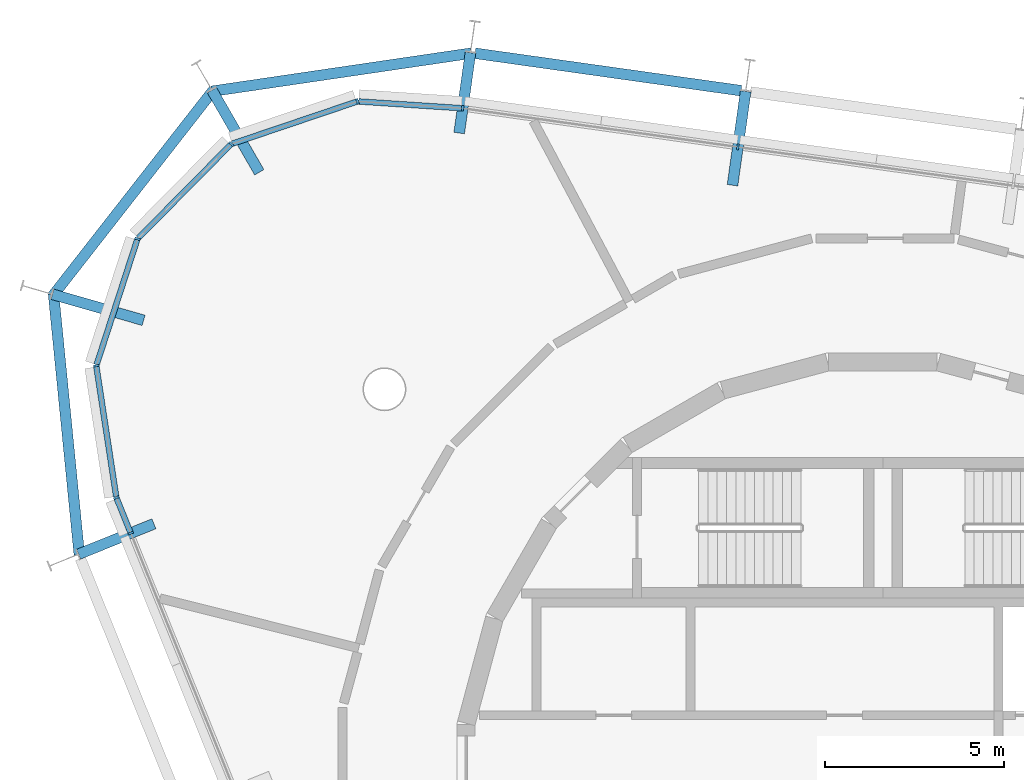
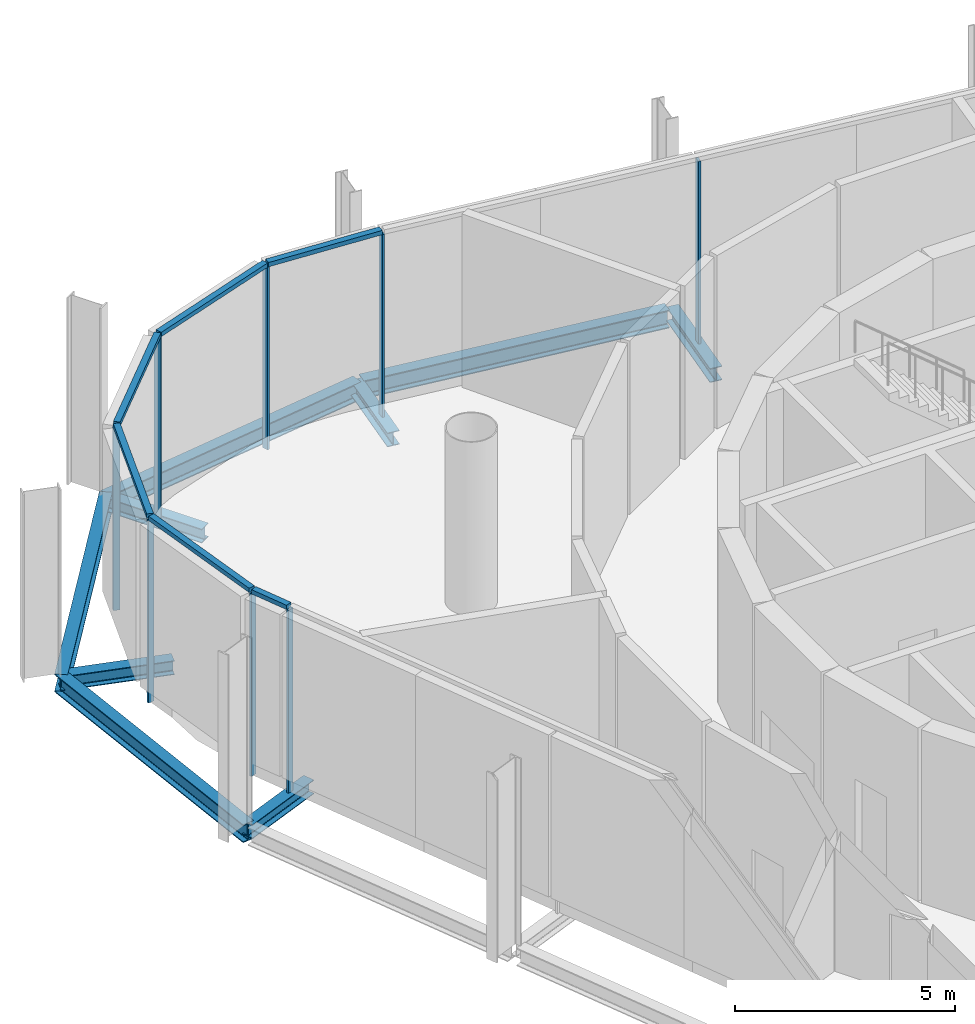
# One storey, part 5 of 12: 14 members, 9 beams, 3 elements without a shape of their own.
"""IFC4 building model written with IfcOpenShell, lengths in metres."""

from ifc_helpers import new_model, si_unit, direction, frame, origin, origin_2d, place, context, subcontext, project, spatial, rectangle, i_section, extrude, material, layer, layer_set, material_profile, profile_set, type_object, element, aggregate, save


model = new_model("IFC4")

# Units and contexts
model_context = context("Model", 3, precision=1e-05, world=origin(), true_north=direction((0.0, 1.0)))
body_context = subcontext(model_context, "Body", "Model", "MODEL_VIEW")
ifc_project = project(units=[si_unit("LENGTHUNIT", "METRE"), si_unit("AREAUNIT", "SQUARE_METRE"), si_unit("VOLUMEUNIT", "CUBIC_METRE"), si_unit("PLANEANGLEUNIT", "RADIAN"), si_unit("MASSUNIT", "GRAM", prefix="KILO")], contexts=[model_context])

# Site, building, storey
site_placement = place(None, origin())
site = spatial("IfcSite", under=ifc_project, at=site_placement, CompositionType="ELEMENT")
building_placement = place(site_placement, origin())
building = spatial("IfcBuilding", under=site, at=building_placement, Name="Spindle Arch Residences", CompositionType="ELEMENT")
storey_placement = place(building_placement, frame((0.0, 0.0, 361.0)))
storey = spatial("IfcBuildingStorey", under=building, at=storey_placement, Name="L93", CompositionType="ELEMENT", Elevation=361.0)

# Curtain wall, member
ifc_material_1 = material(Name="Aluminium bronze unitised frame with tinted glass", Category="aluminium")
ifc_layer = layer(ifc_material_1, 0.159912109375)
ifc_layer_set = layer_set([ifc_layer], Name="CW-F crown plant glazed wall")
curtain_wall_type = type_object("IfcCurtainWallType", Name="CW-F crown plant glazed wall", PredefinedType="NOTDEFINED", material=ifc_layer_set)
curtain_wall_1_placement = place(storey_placement, origin())
curtain_wall_1 = element("IfcCurtainWall", 1, at=curtain_wall_1_placement, inside=storey, type_object=curtain_wall_type, Name="CW-F L93 run 2", PredefinedType="NOTDEFINED")
ifc_material_2 = material(Name="Aluminium bronze anodised mullion", Category="aluminium")
ifc_material_profile_1 = material_profile(ifc_material_2, rectangle(XDim=0.159912109375, YDim=0.06005859375, at=origin_2d()), Name="MU 60x160")
ifc_profile_set_1 = profile_set([ifc_material_profile_1], Name="Aluminium bronze anodised mullion")
member_type_1 = type_object("IfcMemberType", Name="Bronze mullion 60x160", PredefinedType="MULLION", material=ifc_profile_set_1)
member_1_placement = place(storey_placement, frame((-4.0537109375, 17.654296875, -0.3798828125), z_axis=(0.0, 0.0, 1.0), x_axis=(-0.13917310096, -0.990268068742, 0.0)))
member_1 = element("IfcMember", 2, at=member_1_placement, type_object=member_type_1, Name="CW-F mullion 07", PredefinedType="MULLION", context=body_context, shape_type="SweptSolid", body=[
    extrude(rectangle(XDim=0.159912109375, YDim=0.06005859375, at=origin_2d()), origin(), (0.0, 0.0, 1.0), 5.079833984375),
])
aggregate(curtain_wall_1, [member_1])

# Curtain wall, members
curtain_wall_2_placement = place(storey_placement, origin())
curtain_wall_2 = element("IfcCurtainWall", 3, at=curtain_wall_2_placement, inside=storey, type_object=curtain_wall_type, Name="CW-F L93 run 3", PredefinedType="NOTDEFINED")
member_2_placement = place(storey_placement, frame((-11.74365234375, 18.735107421875, -0.3798828125), z_axis=(0.0, 0.0, 1.0), x_axis=(-0.065509719587, -0.99785193122, 0.0)))
member_2 = element("IfcMember", 4, at=member_2_placement, type_object=member_type_1, Name="CW-F mullion 00", PredefinedType="MULLION", context=body_context, shape_type="SweptSolid", body=[
    extrude(rectangle(XDim=0.159912109375, YDim=0.06005859375, at=origin_2d()), origin(), (0.0, 0.0, 1.0), 5.079833984375),
])
member_3_placement = place(storey_placement, frame((-14.6806640625, 18.927978515625, -0.3798828125), z_axis=(0.0, 0.0, 1.0), x_axis=(0.320061877599, -0.947396640541, 0.0)))
member_3 = element("IfcMember", 5, at=member_3_placement, type_object=member_type_1, Name="CW-F mullion 01", PredefinedType="MULLION", context=body_context, shape_type="SweptSolid", body=[
    extrude(rectangle(XDim=0.159912109375, YDim=0.06005859375, at=origin_2d()), origin(), (0.0, 0.0, 1.0), 5.079833984375),
])
member_4_placement = place(storey_placement, frame((-18.211181640625, 17.735107421875, -0.3798828125), z_axis=(0.0, 0.0, 1.0), x_axis=(0.711208574043, -0.702981055369, 0.0)))
member_4 = element("IfcMember", 6, at=member_4_placement, type_object=member_type_1, Name="CW-F mullion 02", PredefinedType="MULLION", context=body_context, shape_type="SweptSolid", body=[
    extrude(rectangle(XDim=0.159912109375, YDim=0.06005859375, at=origin_2d()), origin(), (0.0, 0.0, 1.0), 5.079833984375),
])
member_5_placement = place(storey_placement, frame((-20.8310546875, 15.084716796875, -0.3798828125), z_axis=(0.0, 0.0, 1.0), x_axis=(0.951056517498, -0.309016990673, 0.0)))
member_5 = element("IfcMember", 7, at=member_5_placement, type_object=member_type_1, Name="CW-F mullion 03", PredefinedType="MULLION", context=body_context, shape_type="SweptSolid", body=[
    extrude(rectangle(XDim=0.159912109375, YDim=0.06005859375, at=origin_2d()), origin(), (0.0, 0.0, 1.0), 5.079833984375),
])
member_6_placement = place(storey_placement, frame((-21.982666015625, 11.540283203125, -0.3798828125), z_axis=(0.0, 0.0, 1.0), x_axis=(0.988581718471, 0.150685718984, 0.0)))
member_6 = element("IfcMember", 8, at=member_6_placement, type_object=member_type_1, Name="CW-F mullion 04", PredefinedType="MULLION", context=body_context, shape_type="SweptSolid", body=[
    extrude(rectangle(XDim=0.159912109375, YDim=0.06005859375, at=origin_2d()), origin(), (0.0, 0.0, 1.0), 5.079833984375),
])
member_7_placement = place(storey_placement, frame((-21.421142578125, 7.856201171875, -0.3798828125), z_axis=(0.0, 0.0, 1.0), x_axis=(0.927183854567, 0.374606593416, 0.0)))
member_7 = element("IfcMember", 9, at=member_7_placement, type_object=member_type_1, Name="CW-F mullion 05", PredefinedType="MULLION", context=body_context, shape_type="SweptSolid", body=[
    extrude(rectangle(XDim=0.159912109375, YDim=0.06005859375, at=origin_2d()), origin(), (0.0, 0.0, 1.0), 5.079833984375),
])

# Curtain wall, member
curtain_wall_3_placement = place(storey_placement, origin())
curtain_wall_3 = element("IfcCurtainWall", 10, at=curtain_wall_3_placement, inside=storey, type_object=curtain_wall_type, Name="CW-F L93 run 4", PredefinedType="NOTDEFINED")
member_8_placement = place(storey_placement, frame((-21.019775390625, 6.862548828125, -0.3798828125), z_axis=(0.0, 0.0, 1.0), x_axis=(0.927183854567, 0.374606593416, 0.0)))
member_8 = element("IfcMember", 11, at=member_8_placement, type_object=member_type_1, Name="CW-F mullion 11", PredefinedType="MULLION", context=body_context, shape_type="SweptSolid", body=[
    extrude(rectangle(XDim=0.159912109375, YDim=0.06005859375, at=origin_2d()), origin(), (0.0, 0.0, 1.0), 5.079833984375),
])
aggregate(curtain_wall_3, [member_8])

# Member
ifc_material_3 = material(Name="Aluminium bronze anodised transom", Category="aluminium")
ifc_material_profile_2 = material_profile(ifc_material_3, rectangle(XDim=0.159912109375, YDim=0.1201171875, at=origin_2d()), Name="TR 120x160")
ifc_profile_set_2 = profile_set([ifc_material_profile_2], Name="Aluminium bronze anodised transom")
member_type_2 = type_object("IfcMemberType", Name="Bronze transom 120x160", PredefinedType="USERDEFINED", material=ifc_profile_set_2)
member_9_placement = place(storey_placement, frame((-11.773681640625, 18.737060546875, 4.760009765625), z_axis=(-0.997849873477, 0.065541055844, 0.0), x_axis=(-0.065541055844, -0.997849873477, 0.0)))
member_9 = element("IfcMember", 12, at=member_9_placement, type_object=member_type_2, Name="CW-F transom 00", ObjectType="TRANSOM", PredefinedType="USERDEFINED", context=body_context, shape_type="SweptSolid", body=[
    extrude(rectangle(XDim=0.159912109375, YDim=0.1201171875, at=origin_2d()), origin(), (0.0, 0.0, 1.0), 2.883056640625),
])

member_10_placement = place(storey_placement, frame((-14.708984375, 18.91845703125, 4.760009765625), z_axis=(-0.94739716915, -0.320060312889, 0.0), x_axis=(0.320060312889, -0.94739716915, 0.0)))
member_10 = element("IfcMember", 13, at=member_10_placement, type_object=member_type_2, Name="CW-F transom 01", ObjectType="TRANSOM", PredefinedType="USERDEFINED", context=body_context, shape_type="SweptSolid", body=[
    extrude(rectangle(XDim=0.159912109375, YDim=0.1201171875, at=origin_2d()), origin(), (0.0, 0.0, 1.0), 3.666748046875),
])

member_11_placement = place(storey_placement, frame((-18.232421875, 17.7138671875, 4.760009765625), z_axis=(-0.702966683093, -0.711222779769, 0.0), x_axis=(0.711222779769, -0.702966683093, 0.0)))
member_11 = element("IfcMember", 14, at=member_11_placement, type_object=member_type_2, Name="CW-F transom 02", ObjectType="TRANSOM", PredefinedType="USERDEFINED", context=body_context, shape_type="SweptSolid", body=[
    extrude(rectangle(XDim=0.159912109375, YDim=0.1201171875, at=origin_2d()), origin(), (0.0, 0.0, 1.0), 3.666748046875),
])

member_12_placement = place(storey_placement, frame((-20.84033203125, 15.05615234375, 4.760009765625), z_axis=(-0.309007783623, -0.951059509001, 0.0), x_axis=(0.951059509001, -0.309007783623, 0.0)))
member_12 = element("IfcMember", 15, at=member_12_placement, type_object=member_type_2, Name="CW-F transom 03", ObjectType="TRANSOM", PredefinedType="USERDEFINED", context=body_context, shape_type="SweptSolid", body=[
    extrude(rectangle(XDim=0.159912109375, YDim=0.1201171875, at=origin_2d()), origin(), (0.0, 0.0, 1.0), 3.666748046875),
])

member_13_placement = place(storey_placement, frame((-21.978271484375, 11.5107421875, 4.760009765625), z_axis=(0.150671164407, -0.988583936859, 0.0), x_axis=(0.988583936859, 0.150671164407, 0.0)))
member_13 = element("IfcMember", 16, at=member_13_placement, type_object=member_type_2, Name="CW-F transom 04", ObjectType="TRANSOM", PredefinedType="USERDEFINED", context=body_context, shape_type="SweptSolid", body=[
    extrude(rectangle(XDim=0.159912109375, YDim=0.1201171875, at=origin_2d()), origin(), (0.0, 0.0, 1.0), 3.666748046875),
])

member_14_placement = place(storey_placement, frame((-21.409912109375, 7.828369140625, 4.760009765625), z_axis=(0.374550833754, -0.927206380982, 0.0), x_axis=(0.927206380982, 0.374550833754, 0.0)))
member_14 = element("IfcMember", 17, at=member_14_placement, type_object=member_type_2, Name="CW-F transom 05", ObjectType="TRANSOM", PredefinedType="USERDEFINED", context=body_context, shape_type="SweptSolid", body=[
    extrude(rectangle(XDim=0.159912109375, YDim=0.1201171875, at=origin_2d()), origin(), (0.0, 0.0, 1.0), 1.01171875),
])

aggregate(curtain_wall_2, [member_2, member_9, member_3, member_10, member_4, member_11, member_5, member_12, member_6, member_13, member_7, member_14])

# Beams
ifc_material_4 = material(Name="Steel S460ML, intumescent coating R 120", Category="steel")
ifc_material_profile_3 = material_profile(ifc_material_4, i_section(OverallWidth=0.300048828125, OverallDepth=0.5, WebThickness=0.014404296875, FlangeThickness=0.028076171875, FilletRadius=0.027099609375, at=origin_2d()), Name="HEB 500")
ifc_profile_set_3 = profile_set([ifc_material_profile_3], Name="Steel S460ML, intumescent coating R 120")
beam_type_1 = type_object("IfcBeamType", Name="Exoskeleton edge beam HEB 500", PredefinedType="BEAM", material=ifc_profile_set_3)
beam_1_placement = place(storey_placement, frame((-3.964111328125, 19.227294921875, -0.6298828125), z_axis=(-0.990270241249, 0.13915764189, 0.0), x_axis=(-0.13915764189, -0.990270241249, 0.0)))
element("IfcBeam", 18, at=beam_1_placement, inside=storey, type_object=beam_type_1, Name="Exoskeleton edge beam 8", PredefinedType="BEAM", context=body_context, shape_type="SweptSolid", body=[
    extrude(i_section(OverallWidth=0.300048828125, OverallDepth=0.5, WebThickness=0.014404296875, FlangeThickness=0.028076171875, FilletRadius=0.027099609375, at=origin_2d()), origin(), (0.0, 0.0, 1.0), 7.50537109375),
])
beam_2_placement = place(storey_placement, frame((-11.505615234375, 20.27490234375, -0.6298828125), z_axis=(-0.989384491355, -0.145321465266, 0.0), x_axis=(0.145321465266, -0.989384491355, 0.0)))
element("IfcBeam", 19, at=beam_2_placement, inside=storey, type_object=beam_type_1, Name="Exoskeleton edge beam 9", PredefinedType="BEAM", context=body_context, shape_type="SweptSolid", body=[
    extrude(i_section(OverallWidth=0.300048828125, OverallDepth=0.5, WebThickness=0.014404296875, FlangeThickness=0.028076171875, FilletRadius=0.027099609375, at=origin_2d()), origin(), (0.0, 0.0, 1.0), 7.333251953125),
])
beam_3_placement = place(storey_placement, frame((-18.700927734375, 19.252685546875, -0.6298828125), z_axis=(-0.615671888322, -0.788002617971, 0.0), x_axis=(0.788002617971, -0.615671888322, 0.0)))
element("IfcBeam", 20, at=beam_3_placement, inside=storey, type_object=beam_type_1, Name="Exoskeleton edge beam 10", PredefinedType="BEAM", context=body_context, shape_type="SweptSolid", body=[
    extrude(i_section(OverallWidth=0.300048828125, OverallDepth=0.5, WebThickness=0.014404296875, FlangeThickness=0.028076171875, FilletRadius=0.027099609375, at=origin_2d()), origin(), (0.0, 0.0, 1.0), 7.31591796875),
])
beam_4_placement = place(storey_placement, frame((-23.177490234375, 13.556640625, -0.6298828125), z_axis=(0.098376359096, -0.995149281249, 0.0), x_axis=(0.995149281249, 0.098376359096, 0.0)))
element("IfcBeam", 21, at=beam_4_placement, inside=storey, type_object=beam_type_1, Name="Exoskeleton edge beam 11", PredefinedType="BEAM", context=body_context, shape_type="SweptSolid", body=[
    extrude(i_section(OverallWidth=0.300048828125, OverallDepth=0.5, WebThickness=0.014404296875, FlangeThickness=0.028076171875, FilletRadius=0.027099609375, at=origin_2d()), origin(), (0.0, 0.0, 1.0), 7.33349609375),
])
ifc_material_5 = material(Name="Steel S460ML, intumescent coating R 120", Category="steel")
ifc_material_profile_4 = material_profile(ifc_material_5, i_section(OverallWidth=0.300048828125, OverallDepth=0.389892578125, WebThickness=0.010986328125, FlangeThickness=0.01904296875, FilletRadius=0.027099609375, at=origin_2d()), Name="HEA 400")
ifc_profile_set_4 = profile_set([ifc_material_profile_4], Name="Steel S460ML, intumescent coating R 120")
beam_type_2 = type_object("IfcBeamType", Name="Floor outrigger HEA 400", PredefinedType="BEAM", material=ifc_profile_set_4)
beam_5_placement = place(storey_placement, frame((-3.835205078125, 19.208984375, -0.574951171875), z_axis=(-0.139215304089, -0.990262136562, 0.0), x_axis=(0.990262136562, -0.139215304089, 0.0)))
element("IfcBeam", 22, at=beam_5_placement, inside=storey, type_object=beam_type_2, Name="Floor outrigger 8", PredefinedType="BEAM", context=body_context, shape_type="SweptSolid", body=[
    extrude(i_section(OverallWidth=0.300048828125, OverallDepth=0.389892578125, WebThickness=0.010986328125, FlangeThickness=0.01904296875, FilletRadius=0.027099609375, at=origin_2d()), origin(), (0.0, 0.0, 1.0), 2.64990234375),
])
beam_6_placement = place(storey_placement, frame((-11.525146484375, 20.289794921875, -0.574951171875), z_axis=(-0.139236695956, -0.990259128965, 0.0), x_axis=(0.990259128965, -0.139236695956, 0.0)))
element("IfcBeam", 23, at=beam_6_placement, inside=storey, type_object=beam_type_2, Name="Floor outrigger 9", PredefinedType="BEAM", context=body_context, shape_type="SweptSolid", body=[
    extrude(i_section(OverallWidth=0.300048828125, OverallDepth=0.389892578125, WebThickness=0.010986328125, FlangeThickness=0.01904296875, FilletRadius=0.027099609375, at=origin_2d()), origin(), (0.0, 0.0, 1.0), 2.26904296875),
])
beam_7_placement = place(storey_placement, frame((-18.750732421875, 19.2421875, -0.574951171875), z_axis=(0.49963737375, -0.866234664945, 0.0), x_axis=(0.866234664945, 0.49963737375, 0.0)))
element("IfcBeam", 24, at=beam_7_placement, inside=storey, type_object=beam_type_2, Name="Floor outrigger 10", PredefinedType="BEAM", context=body_context, shape_type="SweptSolid", body=[
    extrude(i_section(OverallWidth=0.300048828125, OverallDepth=0.389892578125, WebThickness=0.010986328125, FlangeThickness=0.01904296875, FilletRadius=0.027099609375, at=origin_2d()), origin(), (0.0, 0.0, 1.0), 2.64990234375),
])
beam_8_placement = place(storey_placement, frame((-23.20703125, 13.53857421875, -0.574951171875), z_axis=(0.961395217741, -0.275171283575, 0.0), x_axis=(0.275171283575, 0.961395217741, 0.0)))
element("IfcBeam", 25, at=beam_8_placement, inside=storey, type_object=beam_type_2, Name="Floor outrigger 11", PredefinedType="BEAM", context=body_context, shape_type="SweptSolid", body=[
    extrude(i_section(OverallWidth=0.300048828125, OverallDepth=0.389892578125, WebThickness=0.010986328125, FlangeThickness=0.01904296875, FilletRadius=0.027099609375, at=origin_2d()), origin(), (0.0, 0.0, 1.0), 2.650146484375),
])
beam_9_placement = place(storey_placement, frame((-22.475341796875, 6.2744140625, -0.574951171875), z_axis=(0.927202315329, 0.374560898185, 0.0), x_axis=(-0.374560898185, 0.927202315329, 0.0)))
element("IfcBeam", 26, at=beam_9_placement, inside=storey, type_object=beam_type_2, Name="Floor outrigger 12", PredefinedType="BEAM", context=body_context, shape_type="SweptSolid", body=[
    extrude(i_section(OverallWidth=0.300048828125, OverallDepth=0.389892578125, WebThickness=0.010986328125, FlangeThickness=0.01904296875, FilletRadius=0.027099609375, at=origin_2d()), origin(), (0.0, 0.0, 1.0), 2.26904296875),
])

save(model, "model.ifc")
